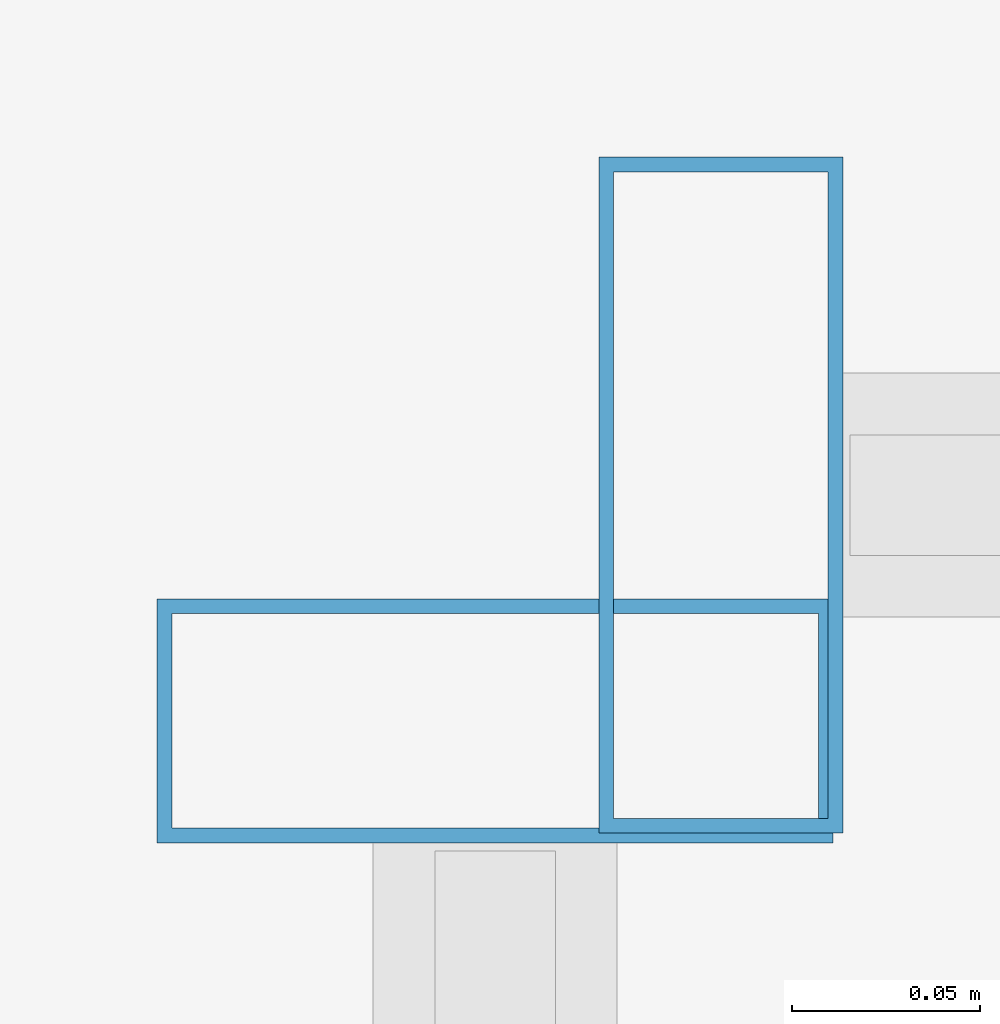
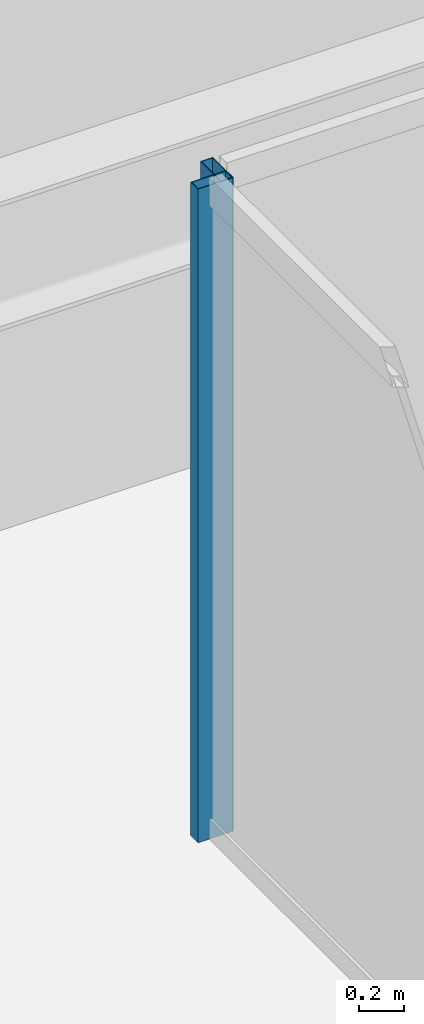
# One storey, part 13 of 35: 2 members, 2 elements without a shape of their own.
"""IFC4 building model written with IfcOpenShell, lengths in metres."""

from ifc_helpers import new_model, si_unit, direction, frame, origin, origin_2d, place, context, subcontext, project, spatial, hollow_rectangle, extrude, material, material_profile, profile_set, type_object, element, aggregate, save


model = new_model("IFC4")

# Units and contexts
model_context = context("Model", 3, precision=1e-05, world=origin(), true_north=direction((0.0, 1.0)))
body_context = subcontext(model_context, "Body", "Model", "MODEL_VIEW")
ifc_project = project(units=[si_unit("LENGTHUNIT", "METRE"), si_unit("AREAUNIT", "SQUARE_METRE"), si_unit("VOLUMEUNIT", "CUBIC_METRE"), si_unit("PLANEANGLEUNIT", "RADIAN"), si_unit("MASSUNIT", "GRAM", prefix="KILO")], contexts=[model_context])

# Site, building, storey
site_placement = place(None, origin())
site = spatial("IfcSite", under=ifc_project, at=site_placement, CompositionType="ELEMENT")
building_placement = place(site_placement, origin())
building = spatial("IfcBuilding", under=site, at=building_placement, Name="Saevonmaru Cultural Tower", CompositionType="ELEMENT")
storey_placement = place(building_placement, frame((0.0, 0.0, 190.39990234375)))
storey = spatial("IfcBuildingStorey", under=building, at=storey_placement, Name="L43", CompositionType="ELEMENT", Elevation=190.39990234375)

# Curtain wall, member
ifc_material = material(Name="Satin Bronze Anodised Aluminium", Category="aluminium")
curtain_wall_type = type_object("IfcCurtainWallType", Name="CW-ATR-GLZ", PredefinedType="NOTDEFINED", material=ifc_material)
curtain_wall_1_placement = place(storey_placement, origin())
curtain_wall_1 = element("IfcCurtainWall", 1, at=curtain_wall_1_placement, inside=storey, type_object=curtain_wall_type, Name="L43 Vertical Atrium Glazed Smoke Screen 3", PredefinedType="NOTDEFINED")
ifc_material_profile = material_profile(ifc_material, hollow_rectangle(XDim=0.06494140625, YDim=0.179931640625, WallThickness=0.00390625, at=origin_2d()), Name="ALU-MULL-180x65x4")
ifc_profile_set = profile_set([ifc_material_profile], Name="Satin Bronze Anodised Aluminium")
member_type = type_object("IfcMemberType", Name="ML-CW-INT-180x65", PredefinedType="MULLION", material=ifc_profile_set)
member_1_placement = place(storey_placement, frame((24.110107421875, 36.830078125, 0.0), z_axis=(0.0, 0.0, 1.0), x_axis=(-1.0, 0.0, 0.0)))
member_1 = element("IfcMember", 2, at=member_1_placement, type_object=member_type, Name="CW-ATR-L43-3 mullion 2", PredefinedType="MULLION", context=body_context, shape_type="SweptSolid", body=[
    extrude(hollow_rectangle(XDim=0.06494140625, YDim=0.179931640625, WallThickness=0.00390625, at=origin_2d()), origin(), (0.0, 0.0, 1.0), 3.550048828125),
])
aggregate(curtain_wall_1, [member_1])

curtain_wall_2_placement = place(storey_placement, origin())
curtain_wall_2 = element("IfcCurtainWall", 3, at=curtain_wall_2_placement, inside=storey, type_object=curtain_wall_type, Name="L43 Vertical Atrium Glazed Smoke Screen 4", PredefinedType="NOTDEFINED")
member_2_placement = place(storey_placement, frame((24.050048828125, 36.77001953125, 0.0), z_axis=(0.0, 0.0, 1.0), x_axis=(0.0, -1.0, 0.0)))
member_2 = element("IfcMember", 4, at=member_2_placement, type_object=member_type, Name="CW-ATR-L43-4 mullion 1", PredefinedType="MULLION", context=body_context, shape_type="SweptSolid", body=[
    extrude(hollow_rectangle(XDim=0.06494140625, YDim=0.179931640625, WallThickness=0.00390625, at=origin_2d()), origin(), (0.0, 0.0, 1.0), 3.550048828125),
])
aggregate(curtain_wall_2, [member_2])

save(model, "model.ifc")
